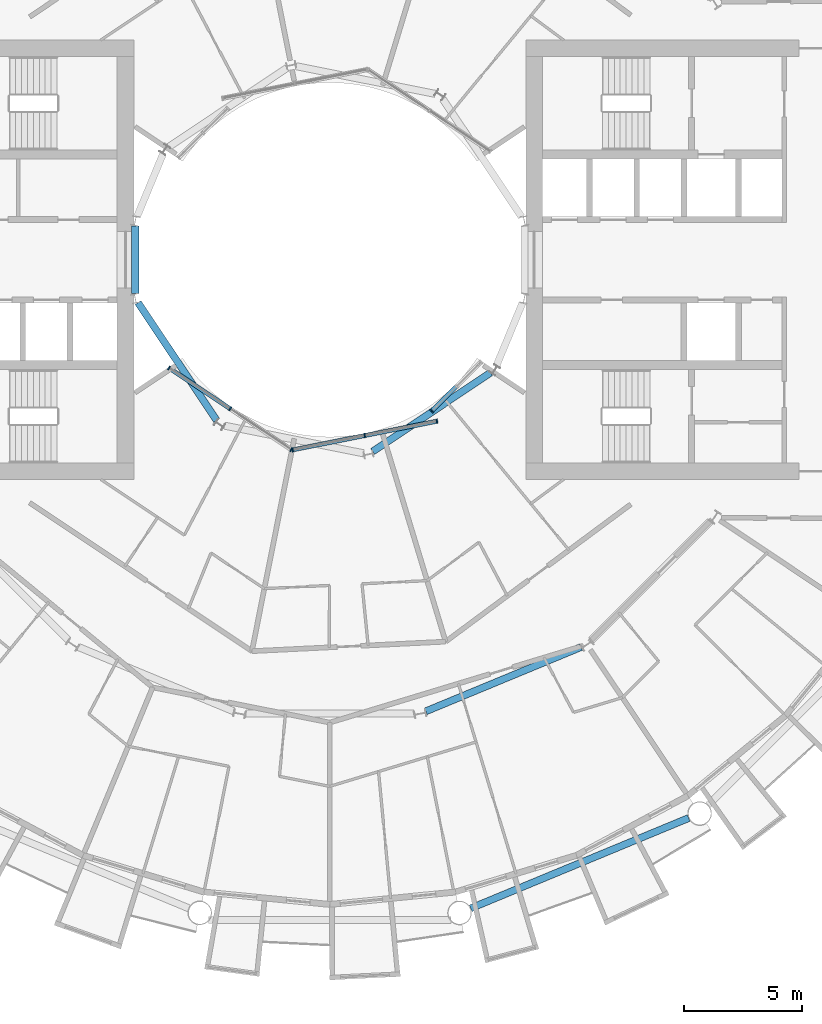
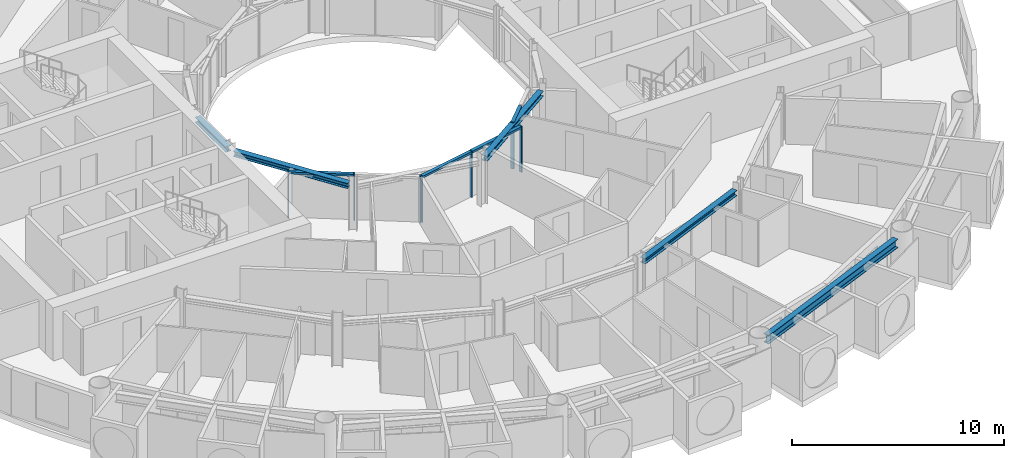
# One storey, part 5 of 25: 11 members, 5 beams, 3 elements without a shape of their own.
"""IFC4 building model written with IfcOpenShell, lengths in metres."""

import ifcopenshell
import ifcopenshell.guid

model = None  # the IFC model being written
_history = None  # IfcOwnerHistory: only IFC2X3 demands one
_inside = {}  # id of a spatial element -> (the spatial element, [elements in it])
_under = {}  # id of a project, library or spatial element -> (it, [spatial elements below it])
_declared = {}  # id of a project -> (the project, [libraries it declares])
_typed = {}  # id of a type object -> (the type object, [elements of that type])
_made_of = {}  # id of a material, layer set ... -> (it, [elements and type objects made of it])


def new_model(schema):
    """Start an empty IFC model of exactly this schema.

    Asked for "IFC4X3", IfcOpenShell would pick the latest addendum, in which some entities
    have other attributes; the version numbers below select the first issue.
    IFC2X3 requires an IfcOwnerHistory on every rooted entity: one is made here for all.
    """
    global model, _history
    if schema == "IFC4X3":
        model = ifcopenshell.file(schema_version=(4, 3, 0, 0))
    else:
        model = ifcopenshell.file(schema=schema)
    _inside.clear()
    _under.clear()
    _declared.clear()
    _typed.clear()
    _made_of.clear()
    _history = None
    if model.schema == "IFC2X3":
        org = make("IfcOrganization", Name="unknown")
        user = make(
            "IfcPersonAndOrganization",
            ThePerson=make("IfcPerson", FamilyName="unknown"),
            TheOrganization=org,
        )
        app = make(
            "IfcApplication",
            ApplicationDeveloper=org,
            Version="unknown",
            ApplicationFullName="unknown",
            ApplicationIdentifier="unknown",
        )
        _history = make(
            "IfcOwnerHistory",
            OwningUser=user,
            OwningApplication=app,
            ChangeAction="ADDED",
            CreationDate=0,
        )
    return model


def make(cls, **values):
    """One entity of the class cls with the attributes given. An attribute that is None is left unset."""
    return model.create_entity(
        cls, **{name: value for name, value in values.items() if value is not None}
    )


def rooted(cls, **values):
    """An entity with a GlobalId (a new one), such as an element, a storey or a relation."""
    return make(cls, GlobalId=ifcopenshell.guid.new(), OwnerHistory=_history, **values)


def si_unit(unit_type, name, prefix=None):
    """IfcSIUnit, for example si_unit("LENGTHUNIT", "METRE", prefix="MILLI")."""
    return make("IfcSIUnit", UnitType=unit_type, Prefix=prefix, Name=name)


def assignment(units):
    """IfcUnitAssignment: the units of a project."""
    return None if units is None else make("IfcUnitAssignment", Units=units)


def point(xyz):
    """IfcCartesianPoint."""
    return None if xyz is None else make("IfcCartesianPoint", Coordinates=xyz)


def direction(xyz):
    """IfcDirection."""
    return None if xyz is None else make("IfcDirection", DirectionRatios=xyz)


def frame(location, z_axis=None, x_axis=None):
    """IfcAxis2Placement3D, a coordinate frame: its origin and axes. An axis left out is left unset."""
    return make(
        "IfcAxis2Placement3D",
        Location=point(location),
        Axis=direction(z_axis),
        RefDirection=direction(x_axis),
    )


def frame_2d(location, x_axis=None):
    """IfcAxis2Placement2D, a coordinate frame in the plane: its origin and x axis."""
    return make(
        "IfcAxis2Placement2D", Location=point(location), RefDirection=direction(x_axis)
    )


def origin():
    """The frame at (0, 0, 0) with its axes left unset."""
    return frame((0.0, 0.0, 0.0))


def origin_2d():
    """The frame at (0, 0) in the plane with its x axis left unset."""
    return frame_2d((0.0, 0.0))


def place(relative_to, where):
    """IfcLocalPlacement: puts the frame where relative to a parent placement (None: the world)."""
    return make(
        "IfcLocalPlacement", PlacementRelTo=relative_to, RelativePlacement=where
    )


def context(
    kind, dimensions, precision=None, world=None, true_north=None, identifier=None
):
    """IfcGeometricRepresentationContext, for example the 3D "Model" context."""
    return make(
        "IfcGeometricRepresentationContext",
        ContextIdentifier=identifier,
        ContextType=kind,
        CoordinateSpaceDimension=dimensions,
        Precision=precision,
        WorldCoordinateSystem=world,
        TrueNorth=true_north,
    )


def subcontext(parent, identifier, kind, view, scale=None):
    """IfcGeometricRepresentationSubContext, for example "Body" below "Model"."""
    return make(
        "IfcGeometricRepresentationSubContext",
        ContextIdentifier=identifier,
        ContextType=kind,
        ParentContext=parent,
        TargetScale=scale,
        TargetView=view,
    )


def project(units=None, contexts=None):
    """IfcProject with its units and contexts."""
    return rooted(
        "IfcProject",
        Name="project",
        RepresentationContexts=contexts,
        UnitsInContext=assignment(units),
    )


def spatial(cls, under=None, at=None, **own):
    """A site, building, storey or space (cls), placed at a placement, below another one or the project."""
    s = rooted(cls, ObjectPlacement=at, **own)
    if under is not None:
        _under.setdefault(under.id(), (under, []))[1].append(s)
    return s


def profile(cls, at=None, kind="AREA", **sizes):
    """A parametric profile (cls). Its sizes go by their IFC names, for example OverallWidth=200.0."""
    return make(cls, ProfileType=kind, Position=at, **sizes)


def rectangle(**sizes):
    """IfcRectangleProfileDef."""
    return profile("IfcRectangleProfileDef", **sizes)


def i_section(**sizes):
    """IfcIShapeProfileDef."""
    return profile("IfcIShapeProfileDef", **sizes)


def extrude(swept, where, along, depth):
    """IfcExtrudedAreaSolid: the profile swept, set in the frame where, extruded along a direction by depth."""
    return make(
        "IfcExtrudedAreaSolid",
        SweptArea=swept,
        Position=where,
        ExtrudedDirection=direction(along),
        Depth=depth,
    )


def shape(context_of_items, identifier, shape_type, items):
    """IfcShapeRepresentation: the items that make up one representation, for example the "Body"."""
    return make(
        "IfcShapeRepresentation",
        ContextOfItems=context_of_items,
        RepresentationIdentifier=identifier,
        RepresentationType=shape_type,
        Items=items,
    )


def material(Name=None, Category=None):
    """IfcMaterial."""
    return make("IfcMaterial", Name=Name, Category=Category)


def layer(
    of_material, thickness, ventilated=None, Name=None, Category=None, Priority=None
):
    """IfcMaterialLayer: one layer of a wall or slab, of a material (None: an air gap)."""
    return make(
        "IfcMaterialLayer",
        Material=of_material,
        LayerThickness=thickness,
        IsVentilated=ventilated,
        Name=Name,
        Category=Category,
        Priority=Priority,
    )


def layer_set(layers, Name=None):
    """IfcMaterialLayerSet."""
    return make("IfcMaterialLayerSet", MaterialLayers=layers, LayerSetName=Name)


def material_profile(
    of_material, cross_section, Name=None, Category=None, Priority=None
):
    """IfcMaterialProfile: a cross section and its material."""
    return make(
        "IfcMaterialProfile",
        Name=Name,
        Material=of_material,
        Profile=cross_section,
        Priority=Priority,
        Category=Category,
    )


def profile_set(profiles, Name=None, composite=None):
    """IfcMaterialProfileSet."""
    return make(
        "IfcMaterialProfileSet",
        Name=Name,
        MaterialProfiles=profiles,
        CompositeProfile=composite,
    )


def made_of(thing, what):
    """Note that an element or type object is made of a material, layer set ...; save() writes the relation."""
    if what is not None:
        _made_of.setdefault(what.id(), (what, []))[1].append(thing)
    return thing


def type_object(cls, material=None, **own):
    """A type object (cls), such as IfcWallType, which elements share."""
    return made_of(rooted(cls, **own), material)


def element(
    cls,
    number,
    at=None,
    inside=None,
    cuts=None,
    type_object=None,
    material=None,
    context=None,
    identifier="Body",
    shape_type=None,
    held_by="IfcProductDefinitionShape",
    body=None,
    shapes=None,
    **own,
):
    """One element of the class cls, such as IfcWall. Its Tag is "e" and its number.

    at: its placement. inside: the storey or other place that contains it. cuts: it is an
    opening in that element (IfcRelVoidsElement). A single representation is given by context,
    identifier, shape_type and body (its items); several are given by shapes. held_by: the class
    of the entity that holds the representations. save() writes the other relations.
    """
    e = rooted(cls, Tag="e%d" % number, ObjectPlacement=at, **own)
    if body is not None:
        shapes = [shape(context, identifier, shape_type, body)]
    if shapes is not None:
        e.Representation = make(held_by, Representations=shapes)
    if inside is not None:
        _inside.setdefault(inside.id(), (inside, []))[1].append(e)
    if cuts is not None:
        rooted(
            "IfcRelVoidsElement", RelatingBuildingElement=cuts, RelatedOpeningElement=e
        )
    if type_object is not None:
        _typed.setdefault(type_object.id(), (type_object, []))[1].append(e)
    return made_of(e, material)


def aggregate(whole, parts):
    """IfcRelAggregates: a whole, such as a stair, and the parts it consists of."""
    return rooted("IfcRelAggregates", RelatingObject=whole, RelatedObjects=parts)


def save(model, path):
    """Write the relations noted so far, then the file.

    IfcRelAggregates (storeys below a building ...), IfcRelContainedInSpatialStructure (elements
    in a storey), IfcRelDefinesByType, IfcRelAssociatesMaterial and IfcRelDeclares: one each for
    every whole, place, type object, material and project.
    """
    for whole, parts in _under.values():
        aggregate(whole, parts)
    for where, things in _inside.values():
        rooted(
            "IfcRelContainedInSpatialStructure",
            RelatedElements=things,
            RelatingStructure=where,
        )
    for kind, things in _typed.values():
        rooted("IfcRelDefinesByType", RelatedObjects=things, RelatingType=kind)
    for what, things in _made_of.values():
        rooted("IfcRelAssociatesMaterial", RelatedObjects=things, RelatingMaterial=what)
    for by, libraries in _declared.values():
        rooted("IfcRelDeclares", RelatingContext=by, RelatedDefinitions=libraries)
    model.write(path)


model = new_model("IFC4")

# Units and contexts
model_context = context("Model", 3, precision=1e-05, world=origin(), true_north=direction((0.0, 1.0)))
body_context = subcontext(model_context, "Body", "Model", "MODEL_VIEW")
ifc_project = project(units=[si_unit("LENGTHUNIT", "METRE"), si_unit("AREAUNIT", "SQUARE_METRE"), si_unit("VOLUMEUNIT", "CUBIC_METRE"), si_unit("PLANEANGLEUNIT", "RADIAN"), si_unit("MASSUNIT", "GRAM", prefix="KILO")], contexts=[model_context])

# Site, building, storey
site_placement = place(None, origin())
site = spatial("IfcSite", under=ifc_project, at=site_placement, CompositionType="ELEMENT")
building_placement = place(site_placement, origin())
building = spatial("IfcBuilding", under=site, at=building_placement, Name="Maasbend Ring Residences", CompositionType="ELEMENT")
storey_placement = place(building_placement, frame((0.0, 0.0, 94.10009765625)))
storey = spatial("IfcBuildingStorey", under=building, at=storey_placement, Name="L27", CompositionType="ELEMENT", Elevation=94.10009765625)

# Curtain wall, members
ifc_material_1 = material(Name="Aluminium and clear glass", Category="aluminium")
ifc_layer = layer(ifc_material_1, 0.179931640625)
ifc_layer_set = layer_set([ifc_layer], Name="CW-W")
curtain_wall_type = type_object("IfcCurtainWallType", Name="CW-W", PredefinedType="NOTDEFINED", material=ifc_layer_set)
curtain_wall_1_placement = place(storey_placement, origin())
curtain_wall_1 = element("IfcCurtainWall", 1, at=curtain_wall_1_placement, inside=storey, type_object=curtain_wall_type, Name="Well curtain wall S1", PredefinedType="NOTDEFINED")
ifc_material_2 = material(Name="Aluminium 6063-T6", Category="aluminium")
ifc_material_profile_1 = material_profile(ifc_material_2, rectangle(XDim=0.179931640625, YDim=0.06005859375, at=origin_2d()), Name="AL 180x60")
ifc_profile_set_1 = profile_set([ifc_material_profile_1], Name="Aluminium 6063-T6")
member_type_1 = type_object("IfcMemberType", Name="CWM-W", PredefinedType="MULLION", material=ifc_profile_set_1)
member_1_placement = place(storey_placement, frame((-6.805908203125, -4.580810546875, 0.0), z_axis=(0.0, 0.0, 1.0), x_axis=(0.55557023302, 0.831469612303, 0.0)))
member_1 = element("IfcMember", 2, at=member_1_placement, type_object=member_type_1, Name="Mullion well face", PredefinedType="MULLION", context=body_context, shape_type="SweptSolid", body=[
    extrude(rectangle(XDim=0.179931640625, YDim=0.06005859375, at=origin_2d()), origin(), (0.0, 0.0, 1.0), 2.64990234375),
])
member_2_placement = place(storey_placement, frame((-4.216796875, -6.310791015625, 0.0), z_axis=(0.0, 0.0, 1.0), x_axis=(0.55557023302, 0.831469612303, 0.0)))
member_2 = element("IfcMember", 3, at=member_2_placement, type_object=member_type_1, Name="Mullion well face", PredefinedType="MULLION", context=body_context, shape_type="SweptSolid", body=[
    extrude(rectangle(XDim=0.179931640625, YDim=0.06005859375, at=origin_2d()), origin(), (0.0, 0.0, 1.0), 2.64990234375),
])
member_3_placement = place(storey_placement, frame((-1.627685546875, -8.040771484375, 0.0), z_axis=(0.0, 0.0, 1.0), x_axis=(0.55557023302, 0.831469612303, 0.0)))
member_3 = element("IfcMember", 4, at=member_3_placement, type_object=member_type_1, Name="Mullion well face", PredefinedType="MULLION", context=body_context, shape_type="SweptSolid", body=[
    extrude(rectangle(XDim=0.179931640625, YDim=0.06005859375, at=origin_2d()), origin(), (0.0, 0.0, 1.0), 2.64990234375),
])

curtain_wall_2_placement = place(storey_placement, origin())
curtain_wall_2 = element("IfcCurtainWall", 5, at=curtain_wall_2_placement, inside=storey, type_object=curtain_wall_type, Name="Well curtain wall S2", PredefinedType="NOTDEFINED")
member_4_placement = place(storey_placement, frame((-1.5732421875, -8.0517578125, 0.0), z_axis=(0.0, 0.0, 1.0), x_axis=(-0.195090322016, 0.980785280403, 0.0)))
member_4 = element("IfcMember", 6, at=member_4_placement, type_object=member_type_1, Name="Mullion well face", PredefinedType="MULLION", context=body_context, shape_type="SweptSolid", body=[
    extrude(rectangle(XDim=0.179931640625, YDim=0.06005859375, at=origin_2d()), origin(), (0.0, 0.0, 1.0), 2.64990234375),
])
member_5_placement = place(storey_placement, frame((1.480712890625, -7.444091796875, 0.0), z_axis=(0.0, 0.0, 1.0), x_axis=(-0.195090322016, 0.980785280403, 0.0)))
member_5 = element("IfcMember", 7, at=member_5_placement, type_object=member_type_1, Name="Mullion well face", PredefinedType="MULLION", context=body_context, shape_type="SweptSolid", body=[
    extrude(rectangle(XDim=0.179931640625, YDim=0.06005859375, at=origin_2d()), origin(), (0.0, 0.0, 1.0), 2.64990234375),
])
member_6_placement = place(storey_placement, frame((4.53466796875, -6.836669921875, 0.0), z_axis=(0.0, 0.0, 1.0), x_axis=(-0.195090322016, 0.980785280403, 0.0)))
member_6 = element("IfcMember", 8, at=member_6_placement, type_object=member_type_1, Name="Mullion well face", PredefinedType="MULLION", context=body_context, shape_type="SweptSolid", body=[
    extrude(rectangle(XDim=0.179931640625, YDim=0.06005859375, at=origin_2d()), origin(), (0.0, 0.0, 1.0), 2.64990234375),
])

# Curtain wall, member
curtain_wall_3_placement = place(storey_placement, origin())
curtain_wall_3 = element("IfcCurtainWall", 9, at=curtain_wall_3_placement, inside=storey, type_object=curtain_wall_type, Name="Well curtain wall S3", PredefinedType="NOTDEFINED")
member_7_placement = place(storey_placement, frame((4.320556640625, -6.413330078125, 0.0), z_axis=(0.0, 0.0, 1.0), x_axis=(-0.707106781187, 0.707106781187, 0.0)))
member_7 = element("IfcMember", 10, at=member_7_placement, type_object=member_type_1, Name="Mullion well face", PredefinedType="MULLION", context=body_context, shape_type="SweptSolid", body=[
    extrude(rectangle(XDim=0.179931640625, YDim=0.06005859375, at=origin_2d()), origin(), (0.0, 0.0, 1.0), 2.64990234375),
])

# Member
ifc_material_3 = material(Name="Aluminium 6063-T6", Category="aluminium")
ifc_material_profile_2 = material_profile(ifc_material_3, rectangle(XDim=0.179931640625, YDim=0.1201171875, at=origin_2d()), Name="AL 180x120")
ifc_profile_set_2 = profile_set([ifc_material_profile_2], Name="Aluminium 6063-T6")
member_type_2 = type_object("IfcMemberType", Name="CWT-W", PredefinedType="USERDEFINED", material=ifc_profile_set_2)
member_8_placement = place(storey_placement, frame((-6.781005859375, -4.59765625, 2.58984375), z_axis=(0.831496422459, -0.555530106689, 0.0), x_axis=(0.555530106689, 0.831496422459, 0.0)))
member_8 = element("IfcMember", 11, at=member_8_placement, type_object=member_type_2, Name="Transom well face", ObjectType="TRANSOM", PredefinedType="USERDEFINED", context=body_context, shape_type="SweptSolid", body=[
    extrude(rectangle(XDim=0.179931640625, YDim=0.1201171875, at=origin_2d()), origin(), (0.0, 0.0, 1.0), 3.053955078125),
])

aggregate(curtain_wall_1, [member_1, member_2, member_3, member_8])

member_9_placement = place(storey_placement, frame((-1.5439453125, -8.0458984375, 2.58984375), z_axis=(0.980776956105, 0.195132166424, 0.0), x_axis=(-0.195132166424, 0.980776956105, 0.0)))
member_9 = element("IfcMember", 12, at=member_9_placement, type_object=member_type_2, Name="Transom well face", ObjectType="TRANSOM", PredefinedType="USERDEFINED", context=body_context, shape_type="SweptSolid", body=[
    extrude(rectangle(XDim=0.179931640625, YDim=0.1201171875, at=origin_2d()), origin(), (0.0, 0.0, 1.0), 3.053955078125),
])

member_10_placement = place(storey_placement, frame((1.51025390625, -7.438232421875, 2.58984375), z_axis=(0.980789210404, 0.19507056353, 0.0), x_axis=(-0.19507056353, 0.980789210404, 0.0)))
member_10 = element("IfcMember", 13, at=member_10_placement, type_object=member_type_2, Name="Transom well face", ObjectType="TRANSOM", PredefinedType="USERDEFINED", context=body_context, shape_type="SweptSolid", body=[
    extrude(rectangle(XDim=0.179931640625, YDim=0.1201171875, at=origin_2d()), origin(), (0.0, 0.0, 1.0), 3.0537109375),
])

aggregate(curtain_wall_2, [member_4, member_5, member_6, member_9, member_10])

member_11_placement = place(storey_placement, frame((4.341796875, -6.39208984375, 2.58984375), z_axis=(0.707106781187, 0.707106781187, 0.0), x_axis=(-0.707106781187, 0.707106781187, 0.0)))
member_11 = element("IfcMember", 14, at=member_11_placement, type_object=member_type_2, Name="Transom well face", ObjectType="TRANSOM", PredefinedType="USERDEFINED", context=body_context, shape_type="SweptSolid", body=[
    extrude(rectangle(XDim=0.179931640625, YDim=0.1201171875, at=origin_2d()), origin(), (0.0, 0.0, 1.0), 1.419677734375),
])

aggregate(curtain_wall_3, [member_7, member_11])

# Beams
ifc_material_4 = material(Name="Steel S355J2", Category="steel")
ifc_material_profile_3 = material_profile(ifc_material_4, i_section(OverallWidth=0.300048828125, OverallDepth=0.300048828125, WebThickness=0.010986328125, FlangeThickness=0.01904296875, FilletRadius=0.027099609375, at=origin_2d()), Name="HEB 300")
ifc_profile_set_3 = profile_set([ifc_material_profile_3], Name="Steel S355J2")
beam_type_1 = type_object("IfcBeamType", Name="Corridor ring beam HEB 300", PredefinedType="BEAM", material=ifc_profile_set_3)
beam_1_placement = place(storey_placement, frame((4.070556640625, -19.12109375, 2.5), z_axis=(0.923877113721, 0.382689271788, 0.0), x_axis=(-0.382689271788, 0.923877113721, 0.0)))
element("IfcBeam", 15, at=beam_1_placement, inside=storey, type_object=beam_type_1, Name="Corridor ring beam", PredefinedType="BEAM", context=body_context, shape_type="SweptSolid", body=[
    extrude(i_section(OverallWidth=0.300048828125, OverallDepth=0.300048828125, WebThickness=0.010986328125, FlangeThickness=0.01904296875, FilletRadius=0.027099609375, at=origin_2d()), origin(), (0.0, 0.0, 1.0), 7.11328125),
])
ifc_material_5 = material(Name="Steel S355J2", Category="steel")
ifc_material_profile_4 = material_profile(ifc_material_5, i_section(OverallWidth=0.300048828125, OverallDepth=0.5, WebThickness=0.014404296875, FlangeThickness=0.028076171875, FilletRadius=0.027099609375, at=origin_2d()), Name="HEB 500")
ifc_profile_set_4 = profile_set([ifc_material_profile_4], Name="Steel S355J2")
beam_type_2 = type_object("IfcBeamType", Name="Spandrel ring beam HEB 500", PredefinedType="SPANDREL", material=ifc_profile_set_4)
beam_2_placement = place(storey_placement, frame((5.970703125, -27.463623046875, 2.39990234375), z_axis=(0.923886337442, 0.382667003395, 0.0), x_axis=(-0.382667003395, 0.923886337442, 0.0)))
element("IfcBeam", 16, at=beam_2_placement, inside=storey, type_object=beam_type_2, Name="Spandrel ring beam", PredefinedType="SPANDREL", context=body_context, shape_type="SweptSolid", body=[
    extrude(i_section(OverallWidth=0.300048828125, OverallDepth=0.5, WebThickness=0.014404296875, FlangeThickness=0.028076171875, FilletRadius=0.027099609375, at=origin_2d()), origin(), (0.0, 0.0, 1.0), 9.9873046875),
])
ifc_material_6 = material(Name="Steel S355J2", Category="steel")
ifc_material_profile_5 = material_profile(ifc_material_6, i_section(OverallWidth=0.300048828125, OverallDepth=0.300048828125, WebThickness=0.010986328125, FlangeThickness=0.01904296875, FilletRadius=0.027099609375, at=origin_2d()), Name="HEB 300")
ifc_profile_set_5 = profile_set([ifc_material_profile_5], Name="Steel S355J2")
beam_type_3 = type_object("IfcBeamType", Name="Well edge beam HEB 300", PredefinedType="BEAM", material=ifc_profile_set_5)
beam_3_placement = place(storey_placement, frame((-8.238525390625, 1.434814453125, 2.5), z_axis=(0.0, -1.0, 0.0), x_axis=(1.0, 0.0, 0.0)))
element("IfcBeam", 17, at=beam_3_placement, inside=storey, type_object=beam_type_3, Name="Well edge beam", PredefinedType="BEAM", context=body_context, shape_type="SweptSolid", body=[
    extrude(i_section(OverallWidth=0.300048828125, OverallDepth=0.300048828125, WebThickness=0.010986328125, FlangeThickness=0.01904296875, FilletRadius=0.027099609375, at=origin_2d()), origin(), (0.0, 0.0, 1.0), 2.86962890625),
])
for number, where, z_axis, x_axis, name in (
    (18, (-8.118408203125, -1.81884765625, 2.5), (0.555592533493, -0.83145471117, 0.0), (0.83145471117, 0.555592533493, 0.0), "Well edge beam"),
    (19, (1.81884765625, -8.118408203125, 2.5), (0.83145471117, 0.555592533493, 0.0), (-0.555592533493, 0.83145471117, 0.0), "Well edge beam"),
):
    element("IfcBeam", number, at=place(storey_placement, frame(where, z_axis=z_axis, x_axis=x_axis)), inside=storey, type_object=beam_type_3, Name=name, PredefinedType="BEAM", context=body_context, shape_type="SweptSolid", body=[
        extrude(i_section(OverallWidth=0.300048828125, OverallDepth=0.300048828125, WebThickness=0.010986328125, FlangeThickness=0.01904296875, FilletRadius=0.027099609375, at=origin_2d()), origin(), (0.0, 0.0, 1.0), 5.995849609375),
    ])

save(model, "model.ifc")
